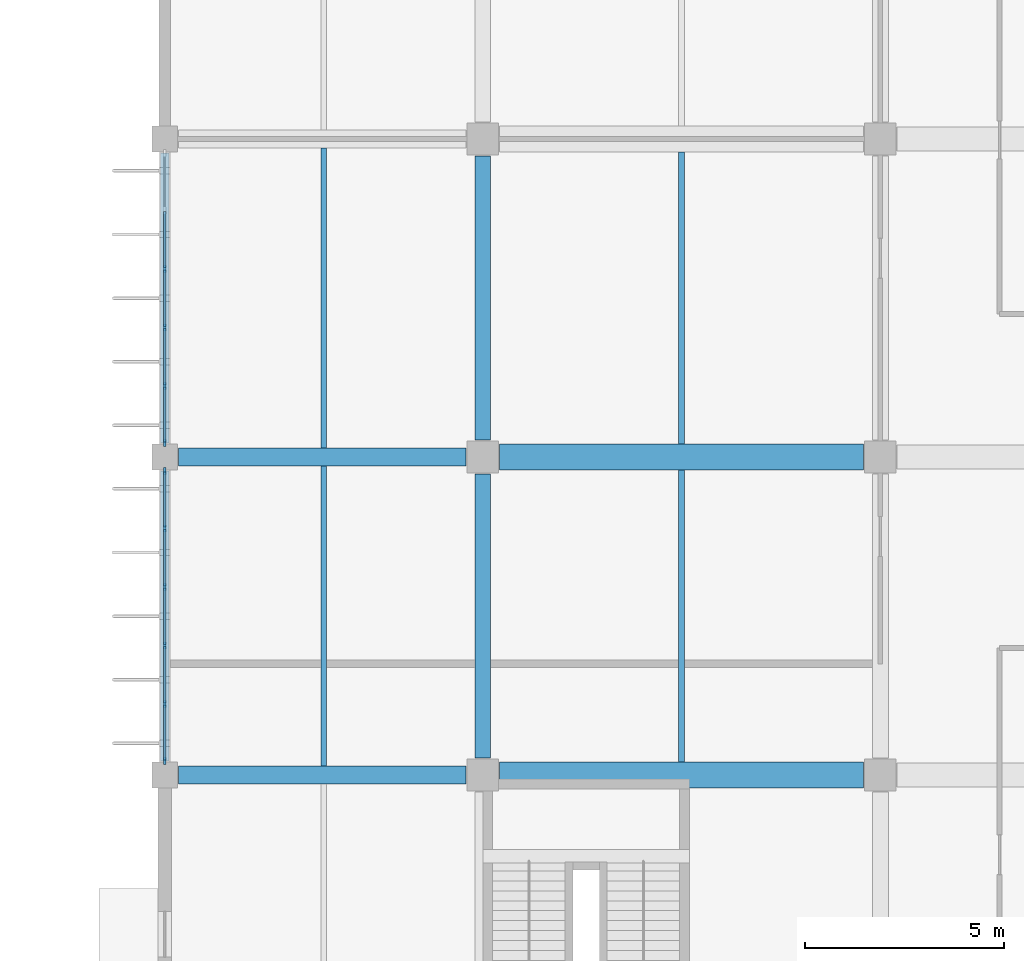
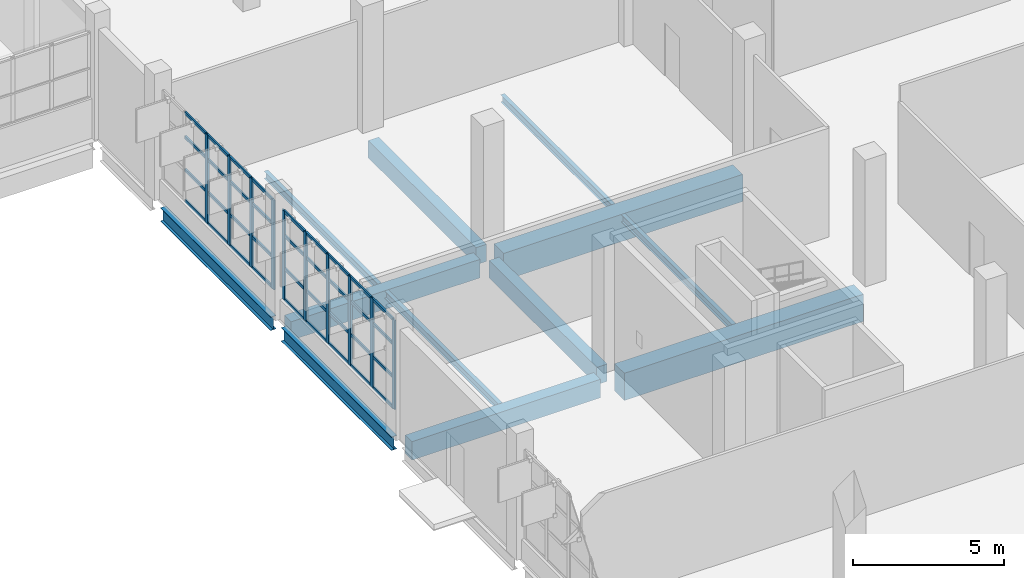
# One storey, part 47 of 103: 46 members, 12 beams, 2 elements without a shape of their own.
"""IFC4 building model written with IfcOpenShell, lengths in metres."""

from ifc_helpers import new_model, si_unit, direction, frame, origin, origin_2d, place, context, subcontext, project, spatial, rectangle, i_section, extrude, material, layer, layer_set, material_profile, profile_set, type_object, element, aggregate, save


model = new_model("IFC4")

# Units and contexts
model_context = context("Model", 3, precision=1e-05, world=origin(), true_north=direction((0.0, 1.0)))
body_context = subcontext(model_context, "Body", "Model", "MODEL_VIEW")
ifc_project = project(units=[si_unit("LENGTHUNIT", "METRE"), si_unit("AREAUNIT", "SQUARE_METRE"), si_unit("VOLUMEUNIT", "CUBIC_METRE"), si_unit("PLANEANGLEUNIT", "RADIAN"), si_unit("MASSUNIT", "GRAM", prefix="KILO")], contexts=[model_context])

# Site, building, storey
site_placement = place(None, origin())
site = spatial("IfcSite", under=ifc_project, at=site_placement, CompositionType="ELEMENT")
building_placement = place(site_placement, origin())
building = spatial("IfcBuilding", under=site, at=building_placement, Name="Drelvana Railside Aquatics Centre", CompositionType="ELEMENT")
storey_placement = place(building_placement, origin())
storey = spatial("IfcBuildingStorey", under=building, at=storey_placement, Name="L00", CompositionType="ELEMENT", Elevation=0.0)

# Curtain wall, members
ifc_material_1 = material(Name="Bronze-anodised aluminium curtain wall", Category="aluminium")
ifc_layer = layer(ifc_material_1, 0.175048828125, Name="Bronze-anodised aluminium curtain wall")
ifc_layer_set = layer_set([ifc_layer], Name="Bronze-anodised aluminium curtain wall")
curtain_wall_type = type_object("IfcCurtainWallType", Name="CW-Z6-WING", PredefinedType="NOTDEFINED", material=ifc_layer_set)
curtain_wall_1_placement = place(storey_placement, origin())
curtain_wall_1 = element("IfcCurtainWall", 1, at=curtain_wall_1_placement, inside=storey, type_object=curtain_wall_type, Name="Curtain wall CW-06-155", PredefinedType="NOTDEFINED")
ifc_material_2 = material(Name="Bronze-anodised aluminium 6063-T6", Category="aluminium")
ifc_material_profile_1 = material_profile(ifc_material_2, rectangle(XDim=0.06494140625, YDim=0.175048828125, at=origin_2d()), Name="ALU-M 65x175")
ifc_profile_set_1 = profile_set([ifc_material_profile_1], Name="Bronze-anodised aluminium 6063-T6")
member_type_1 = type_object("IfcMemberType", Name="CW-Z6-WING-MUL", PredefinedType="MULLION", material=ifc_profile_set_1)
member_1_placement = place(storey_placement, frame((144.0, 64.3515625, 0.7939453125), z_axis=(0.0, 0.0, 1.0), x_axis=(-1.0, 0.0, 0.0)))
member_1 = element("IfcMember", 2, at=member_1_placement, type_object=member_type_1, Name="CW-06 mullion 1", PredefinedType="MULLION", context=body_context, shape_type="SweptSolid", body=[
    extrude(rectangle(XDim=0.06494140625, YDim=0.175048828125, at=origin_2d()), origin(), (0.0, 0.0, 1.0), 3.60595703125),
])
member_2_placement = place(storey_placement, frame((144.0, 65.79150390625, 0.7939453125), z_axis=(0.0, 0.0, 1.0), x_axis=(-1.0, 0.0, 0.0)))
member_2 = element("IfcMember", 3, at=member_2_placement, type_object=member_type_1, Name="CW-06 mullion 2", PredefinedType="MULLION", context=body_context, shape_type="SweptSolid", body=[
    extrude(rectangle(XDim=0.06494140625, YDim=0.175048828125, at=origin_2d()), origin(), (0.0, 0.0, 1.0), 3.60595703125),
])
member_3_placement = place(storey_placement, frame((144.0, 67.263916015625, 0.7939453125), z_axis=(0.0, 0.0, 1.0), x_axis=(-1.0, 0.0, 0.0)))
member_3 = element("IfcMember", 4, at=member_3_placement, type_object=member_type_1, Name="CW-06 mullion 3", PredefinedType="MULLION", context=body_context, shape_type="SweptSolid", body=[
    extrude(rectangle(XDim=0.06494140625, YDim=0.175048828125, at=origin_2d()), origin(), (0.0, 0.0, 1.0), 3.60595703125),
])
member_4_placement = place(storey_placement, frame((144.0, 68.736083984375, 0.7939453125), z_axis=(0.0, 0.0, 1.0), x_axis=(-1.0, 0.0, 0.0)))
member_4 = element("IfcMember", 5, at=member_4_placement, type_object=member_type_1, Name="CW-06 mullion 4", PredefinedType="MULLION", context=body_context, shape_type="SweptSolid", body=[
    extrude(rectangle(XDim=0.06494140625, YDim=0.175048828125, at=origin_2d()), origin(), (0.0, 0.0, 1.0), 3.60595703125),
])
member_5_placement = place(storey_placement, frame((144.0, 70.20849609375, 0.7939453125), z_axis=(0.0, 0.0, 1.0), x_axis=(-1.0, 0.0, 0.0)))
member_5 = element("IfcMember", 6, at=member_5_placement, type_object=member_type_1, Name="CW-06 mullion 5", PredefinedType="MULLION", context=body_context, shape_type="SweptSolid", body=[
    extrude(rectangle(XDim=0.06494140625, YDim=0.175048828125, at=origin_2d()), origin(), (0.0, 0.0, 1.0), 3.60595703125),
])
member_6_placement = place(storey_placement, frame((144.0, 71.6484375, 0.7939453125), z_axis=(0.0, 0.0, 1.0), x_axis=(-1.0, 0.0, 0.0)))
member_6 = element("IfcMember", 7, at=member_6_placement, type_object=member_type_1, Name="CW-06 mullion 6", PredefinedType="MULLION", context=body_context, shape_type="SweptSolid", body=[
    extrude(rectangle(XDim=0.06494140625, YDim=0.175048828125, at=origin_2d()), origin(), (0.0, 0.0, 1.0), 3.60595703125),
])

curtain_wall_2_placement = place(storey_placement, origin())
curtain_wall_2 = element("IfcCurtainWall", 8, at=curtain_wall_2_placement, inside=storey, type_object=curtain_wall_type, Name="Curtain wall CW-06-159", PredefinedType="NOTDEFINED")
member_7_placement = place(storey_placement, frame((144.0, 72.3515625, 0.7939453125), z_axis=(0.0, 0.0, 1.0), x_axis=(-1.0, 0.0, 0.0)))
member_7 = element("IfcMember", 9, at=member_7_placement, type_object=member_type_1, Name="CW-06 mullion 1", PredefinedType="MULLION", context=body_context, shape_type="SweptSolid", body=[
    extrude(rectangle(XDim=0.06494140625, YDim=0.175048828125, at=origin_2d()), origin(), (0.0, 0.0, 1.0), 3.60595703125),
])
member_8_placement = place(storey_placement, frame((144.0, 73.79150390625, 0.7939453125), z_axis=(0.0, 0.0, 1.0), x_axis=(-1.0, 0.0, 0.0)))
member_8 = element("IfcMember", 10, at=member_8_placement, type_object=member_type_1, Name="CW-06 mullion 2", PredefinedType="MULLION", context=body_context, shape_type="SweptSolid", body=[
    extrude(rectangle(XDim=0.06494140625, YDim=0.175048828125, at=origin_2d()), origin(), (0.0, 0.0, 1.0), 3.60595703125),
])
member_9_placement = place(storey_placement, frame((144.0, 75.263916015625, 0.7939453125), z_axis=(0.0, 0.0, 1.0), x_axis=(-1.0, 0.0, 0.0)))
member_9 = element("IfcMember", 11, at=member_9_placement, type_object=member_type_1, Name="CW-06 mullion 3", PredefinedType="MULLION", context=body_context, shape_type="SweptSolid", body=[
    extrude(rectangle(XDim=0.06494140625, YDim=0.175048828125, at=origin_2d()), origin(), (0.0, 0.0, 1.0), 3.60595703125),
])
member_10_placement = place(storey_placement, frame((144.0, 76.736083984375, 0.7939453125), z_axis=(0.0, 0.0, 1.0), x_axis=(-1.0, 0.0, 0.0)))
member_10 = element("IfcMember", 12, at=member_10_placement, type_object=member_type_1, Name="CW-06 mullion 4", PredefinedType="MULLION", context=body_context, shape_type="SweptSolid", body=[
    extrude(rectangle(XDim=0.06494140625, YDim=0.175048828125, at=origin_2d()), origin(), (0.0, 0.0, 1.0), 3.60595703125),
])

# Member
ifc_material_profile_2 = material_profile(ifc_material_2, rectangle(XDim=0.1201171875, YDim=0.06005859375, at=origin_2d()), Name="ALU-T 60x120")
ifc_profile_set_2 = profile_set([ifc_material_profile_2], Name="Bronze-anodised aluminium 6063-T6")
member_type_2 = type_object("IfcMemberType", Name="CW-Z6-WING-TRN", PredefinedType="USERDEFINED", material=ifc_profile_set_2)
member_11_placement = place(storey_placement, frame((144.0, 64.37890625, 0.823974609375), z_axis=(0.0, 1.0, 0.0), x_axis=(0.0, 0.0, 1.0)))
member_11 = element("IfcMember", 13, at=member_11_placement, type_object=member_type_2, Name="CW-06 transom 1.1", ObjectType="TRANSOM", PredefinedType="USERDEFINED", context=body_context, shape_type="SweptSolid", body=[
    extrude(rectangle(XDim=0.1201171875, YDim=0.06005859375, at=origin_2d()), origin(), (0.0, 0.0, 1.0), 1.385009765625),
])

member_12_placement = place(storey_placement, frame((144.0, 64.37890625, 2.055908203125), z_axis=(0.0, 1.0, 0.0), x_axis=(0.0, 0.0, 1.0)))
member_12 = element("IfcMember", 14, at=member_12_placement, type_object=member_type_2, Name="CW-06 transom 1.2", ObjectType="TRANSOM", PredefinedType="USERDEFINED", context=body_context, shape_type="SweptSolid", body=[
    extrude(rectangle(XDim=0.1201171875, YDim=0.06005859375, at=origin_2d()), origin(), (0.0, 0.0, 1.0), 1.385009765625),
])

member_13_placement = place(storey_placement, frame((144.0, 64.37890625, 3.389892578125), z_axis=(0.0, 1.0, 0.0), x_axis=(0.0, 0.0, 1.0)))
member_13 = element("IfcMember", 15, at=member_13_placement, type_object=member_type_2, Name="CW-06 transom 1.3", ObjectType="TRANSOM", PredefinedType="USERDEFINED", context=body_context, shape_type="SweptSolid", body=[
    extrude(rectangle(XDim=0.1201171875, YDim=0.06005859375, at=origin_2d()), origin(), (0.0, 0.0, 1.0), 1.385009765625),
])

member_14_placement = place(storey_placement, frame((144.0, 64.37890625, 4.3701171875), z_axis=(0.0, 1.0, 0.0), x_axis=(0.0, 0.0, 1.0)))
member_14 = element("IfcMember", 16, at=member_14_placement, type_object=member_type_2, Name="CW-06 transom 1.4", ObjectType="TRANSOM", PredefinedType="USERDEFINED", context=body_context, shape_type="SweptSolid", body=[
    extrude(rectangle(XDim=0.1201171875, YDim=0.06005859375, at=origin_2d()), origin(), (0.0, 0.0, 1.0), 1.385009765625),
])

member_15_placement = place(storey_placement, frame((144.0, 65.81884765625, 0.823974609375), z_axis=(0.0, 1.0, 0.0), x_axis=(0.0, 0.0, 1.0)))
member_15 = element("IfcMember", 17, at=member_15_placement, type_object=member_type_2, Name="CW-06 transom 2.1", ObjectType="TRANSOM", PredefinedType="USERDEFINED", context=body_context, shape_type="SweptSolid", body=[
    extrude(rectangle(XDim=0.1201171875, YDim=0.06005859375, at=origin_2d()), origin(), (0.0, 0.0, 1.0), 1.41748046875),
])

member_16_placement = place(storey_placement, frame((144.0, 65.81884765625, 2.055908203125), z_axis=(0.0, 1.0, 0.0), x_axis=(0.0, 0.0, 1.0)))
member_16 = element("IfcMember", 18, at=member_16_placement, type_object=member_type_2, Name="CW-06 transom 2.2", ObjectType="TRANSOM", PredefinedType="USERDEFINED", context=body_context, shape_type="SweptSolid", body=[
    extrude(rectangle(XDim=0.1201171875, YDim=0.06005859375, at=origin_2d()), origin(), (0.0, 0.0, 1.0), 1.41748046875),
])

member_17_placement = place(storey_placement, frame((144.0, 65.81884765625, 3.389892578125), z_axis=(0.0, 1.0, 0.0), x_axis=(0.0, 0.0, 1.0)))
member_17 = element("IfcMember", 19, at=member_17_placement, type_object=member_type_2, Name="CW-06 transom 2.3", ObjectType="TRANSOM", PredefinedType="USERDEFINED", context=body_context, shape_type="SweptSolid", body=[
    extrude(rectangle(XDim=0.1201171875, YDim=0.06005859375, at=origin_2d()), origin(), (0.0, 0.0, 1.0), 1.41748046875),
])

member_18_placement = place(storey_placement, frame((144.0, 65.81884765625, 4.3701171875), z_axis=(0.0, 1.0, 0.0), x_axis=(0.0, 0.0, 1.0)))
member_18 = element("IfcMember", 20, at=member_18_placement, type_object=member_type_2, Name="CW-06 transom 2.4", ObjectType="TRANSOM", PredefinedType="USERDEFINED", context=body_context, shape_type="SweptSolid", body=[
    extrude(rectangle(XDim=0.1201171875, YDim=0.06005859375, at=origin_2d()), origin(), (0.0, 0.0, 1.0), 1.41748046875),
])

member_19_placement = place(storey_placement, frame((144.0, 67.291259765625, 0.823974609375), z_axis=(0.0, 1.0, 0.0), x_axis=(0.0, 0.0, 1.0)))
member_19 = element("IfcMember", 21, at=member_19_placement, type_object=member_type_2, Name="CW-06 transom 3.1", ObjectType="TRANSOM", PredefinedType="USERDEFINED", context=body_context, shape_type="SweptSolid", body=[
    extrude(rectangle(XDim=0.1201171875, YDim=0.06005859375, at=origin_2d()), origin(), (0.0, 0.0, 1.0), 1.41748046875),
])

member_20_placement = place(storey_placement, frame((144.0, 67.291259765625, 2.055908203125), z_axis=(0.0, 1.0, 0.0), x_axis=(0.0, 0.0, 1.0)))
member_20 = element("IfcMember", 22, at=member_20_placement, type_object=member_type_2, Name="CW-06 transom 3.2", ObjectType="TRANSOM", PredefinedType="USERDEFINED", context=body_context, shape_type="SweptSolid", body=[
    extrude(rectangle(XDim=0.1201171875, YDim=0.06005859375, at=origin_2d()), origin(), (0.0, 0.0, 1.0), 1.41748046875),
])

member_21_placement = place(storey_placement, frame((144.0, 67.291259765625, 3.389892578125), z_axis=(0.0, 1.0, 0.0), x_axis=(0.0, 0.0, 1.0)))
member_21 = element("IfcMember", 23, at=member_21_placement, type_object=member_type_2, Name="CW-06 transom 3.3", ObjectType="TRANSOM", PredefinedType="USERDEFINED", context=body_context, shape_type="SweptSolid", body=[
    extrude(rectangle(XDim=0.1201171875, YDim=0.06005859375, at=origin_2d()), origin(), (0.0, 0.0, 1.0), 1.41748046875),
])

member_22_placement = place(storey_placement, frame((144.0, 67.291259765625, 4.3701171875), z_axis=(0.0, 1.0, 0.0), x_axis=(0.0, 0.0, 1.0)))
member_22 = element("IfcMember", 24, at=member_22_placement, type_object=member_type_2, Name="CW-06 transom 3.4", ObjectType="TRANSOM", PredefinedType="USERDEFINED", context=body_context, shape_type="SweptSolid", body=[
    extrude(rectangle(XDim=0.1201171875, YDim=0.06005859375, at=origin_2d()), origin(), (0.0, 0.0, 1.0), 1.41748046875),
])

member_23_placement = place(storey_placement, frame((144.0, 68.763671875, 0.823974609375), z_axis=(0.0, 1.0, 0.0), x_axis=(0.0, 0.0, 1.0)))
member_23 = element("IfcMember", 25, at=member_23_placement, type_object=member_type_2, Name="CW-06 transom 4.1", ObjectType="TRANSOM", PredefinedType="USERDEFINED", context=body_context, shape_type="SweptSolid", body=[
    extrude(rectangle(XDim=0.1201171875, YDim=0.06005859375, at=origin_2d()), origin(), (0.0, 0.0, 1.0), 1.41748046875),
])

member_24_placement = place(storey_placement, frame((144.0, 68.763671875, 2.055908203125), z_axis=(0.0, 1.0, 0.0), x_axis=(0.0, 0.0, 1.0)))
member_24 = element("IfcMember", 26, at=member_24_placement, type_object=member_type_2, Name="CW-06 transom 4.2", ObjectType="TRANSOM", PredefinedType="USERDEFINED", context=body_context, shape_type="SweptSolid", body=[
    extrude(rectangle(XDim=0.1201171875, YDim=0.06005859375, at=origin_2d()), origin(), (0.0, 0.0, 1.0), 1.41748046875),
])

member_25_placement = place(storey_placement, frame((144.0, 68.763671875, 3.389892578125), z_axis=(0.0, 1.0, 0.0), x_axis=(0.0, 0.0, 1.0)))
member_25 = element("IfcMember", 27, at=member_25_placement, type_object=member_type_2, Name="CW-06 transom 4.3", ObjectType="TRANSOM", PredefinedType="USERDEFINED", context=body_context, shape_type="SweptSolid", body=[
    extrude(rectangle(XDim=0.1201171875, YDim=0.06005859375, at=origin_2d()), origin(), (0.0, 0.0, 1.0), 1.41748046875),
])

member_26_placement = place(storey_placement, frame((144.0, 68.763671875, 4.3701171875), z_axis=(0.0, 1.0, 0.0), x_axis=(0.0, 0.0, 1.0)))
member_26 = element("IfcMember", 28, at=member_26_placement, type_object=member_type_2, Name="CW-06 transom 4.4", ObjectType="TRANSOM", PredefinedType="USERDEFINED", context=body_context, shape_type="SweptSolid", body=[
    extrude(rectangle(XDim=0.1201171875, YDim=0.06005859375, at=origin_2d()), origin(), (0.0, 0.0, 1.0), 1.41748046875),
])

member_27_placement = place(storey_placement, frame((144.0, 70.236083984375, 0.823974609375), z_axis=(0.0, 1.0, 0.0), x_axis=(0.0, 0.0, 1.0)))
member_27 = element("IfcMember", 29, at=member_27_placement, type_object=member_type_2, Name="CW-06 transom 5.1", ObjectType="TRANSOM", PredefinedType="USERDEFINED", context=body_context, shape_type="SweptSolid", body=[
    extrude(rectangle(XDim=0.1201171875, YDim=0.06005859375, at=origin_2d()), origin(), (0.0, 0.0, 1.0), 1.385009765625),
])

member_28_placement = place(storey_placement, frame((144.0, 70.236083984375, 2.055908203125), z_axis=(0.0, 1.0, 0.0), x_axis=(0.0, 0.0, 1.0)))
member_28 = element("IfcMember", 30, at=member_28_placement, type_object=member_type_2, Name="CW-06 transom 5.2", ObjectType="TRANSOM", PredefinedType="USERDEFINED", context=body_context, shape_type="SweptSolid", body=[
    extrude(rectangle(XDim=0.1201171875, YDim=0.06005859375, at=origin_2d()), origin(), (0.0, 0.0, 1.0), 1.385009765625),
])

member_29_placement = place(storey_placement, frame((144.0, 70.236083984375, 3.389892578125), z_axis=(0.0, 1.0, 0.0), x_axis=(0.0, 0.0, 1.0)))
member_29 = element("IfcMember", 31, at=member_29_placement, type_object=member_type_2, Name="CW-06 transom 5.3", ObjectType="TRANSOM", PredefinedType="USERDEFINED", context=body_context, shape_type="SweptSolid", body=[
    extrude(rectangle(XDim=0.1201171875, YDim=0.06005859375, at=origin_2d()), origin(), (0.0, 0.0, 1.0), 1.385009765625),
])

member_30_placement = place(storey_placement, frame((144.0, 70.236083984375, 4.3701171875), z_axis=(0.0, 1.0, 0.0), x_axis=(0.0, 0.0, 1.0)))
member_30 = element("IfcMember", 32, at=member_30_placement, type_object=member_type_2, Name="CW-06 transom 5.4", ObjectType="TRANSOM", PredefinedType="USERDEFINED", context=body_context, shape_type="SweptSolid", body=[
    extrude(rectangle(XDim=0.1201171875, YDim=0.06005859375, at=origin_2d()), origin(), (0.0, 0.0, 1.0), 1.385009765625),
])

aggregate(curtain_wall_1, [member_1, member_2, member_3, member_4, member_5, member_6, member_11, member_12, member_13, member_14, member_15, member_16, member_17, member_18, member_19, member_20, member_21, member_22, member_23, member_24, member_25, member_26, member_27, member_28, member_29, member_30])

member_31_placement = place(storey_placement, frame((144.0, 72.37890625, 0.823974609375), z_axis=(0.0, 1.0, 0.0), x_axis=(0.0, 0.0, 1.0)))
member_31 = element("IfcMember", 33, at=member_31_placement, type_object=member_type_2, Name="CW-06 transom 1.1", ObjectType="TRANSOM", PredefinedType="USERDEFINED", context=body_context, shape_type="SweptSolid", body=[
    extrude(rectangle(XDim=0.1201171875, YDim=0.06005859375, at=origin_2d()), origin(), (0.0, 0.0, 1.0), 1.385009765625),
])

member_32_placement = place(storey_placement, frame((144.0, 72.37890625, 2.055908203125), z_axis=(0.0, 1.0, 0.0), x_axis=(0.0, 0.0, 1.0)))
member_32 = element("IfcMember", 34, at=member_32_placement, type_object=member_type_2, Name="CW-06 transom 1.2", ObjectType="TRANSOM", PredefinedType="USERDEFINED", context=body_context, shape_type="SweptSolid", body=[
    extrude(rectangle(XDim=0.1201171875, YDim=0.06005859375, at=origin_2d()), origin(), (0.0, 0.0, 1.0), 1.385009765625),
])

member_33_placement = place(storey_placement, frame((144.0, 72.37890625, 3.389892578125), z_axis=(0.0, 1.0, 0.0), x_axis=(0.0, 0.0, 1.0)))
member_33 = element("IfcMember", 35, at=member_33_placement, type_object=member_type_2, Name="CW-06 transom 1.3", ObjectType="TRANSOM", PredefinedType="USERDEFINED", context=body_context, shape_type="SweptSolid", body=[
    extrude(rectangle(XDim=0.1201171875, YDim=0.06005859375, at=origin_2d()), origin(), (0.0, 0.0, 1.0), 1.385009765625),
])

member_34_placement = place(storey_placement, frame((144.0, 72.37890625, 4.3701171875), z_axis=(0.0, 1.0, 0.0), x_axis=(0.0, 0.0, 1.0)))
member_34 = element("IfcMember", 36, at=member_34_placement, type_object=member_type_2, Name="CW-06 transom 1.4", ObjectType="TRANSOM", PredefinedType="USERDEFINED", context=body_context, shape_type="SweptSolid", body=[
    extrude(rectangle(XDim=0.1201171875, YDim=0.06005859375, at=origin_2d()), origin(), (0.0, 0.0, 1.0), 1.385009765625),
])

member_35_placement = place(storey_placement, frame((144.0, 73.81884765625, 0.823974609375), z_axis=(0.0, 1.0, 0.0), x_axis=(0.0, 0.0, 1.0)))
member_35 = element("IfcMember", 37, at=member_35_placement, type_object=member_type_2, Name="CW-06 transom 2.1", ObjectType="TRANSOM", PredefinedType="USERDEFINED", context=body_context, shape_type="SweptSolid", body=[
    extrude(rectangle(XDim=0.1201171875, YDim=0.06005859375, at=origin_2d()), origin(), (0.0, 0.0, 1.0), 1.41748046875),
])

member_36_placement = place(storey_placement, frame((144.0, 73.81884765625, 2.055908203125), z_axis=(0.0, 1.0, 0.0), x_axis=(0.0, 0.0, 1.0)))
member_36 = element("IfcMember", 38, at=member_36_placement, type_object=member_type_2, Name="CW-06 transom 2.2", ObjectType="TRANSOM", PredefinedType="USERDEFINED", context=body_context, shape_type="SweptSolid", body=[
    extrude(rectangle(XDim=0.1201171875, YDim=0.06005859375, at=origin_2d()), origin(), (0.0, 0.0, 1.0), 1.41748046875),
])

member_37_placement = place(storey_placement, frame((144.0, 73.81884765625, 3.389892578125), z_axis=(0.0, 1.0, 0.0), x_axis=(0.0, 0.0, 1.0)))
member_37 = element("IfcMember", 39, at=member_37_placement, type_object=member_type_2, Name="CW-06 transom 2.3", ObjectType="TRANSOM", PredefinedType="USERDEFINED", context=body_context, shape_type="SweptSolid", body=[
    extrude(rectangle(XDim=0.1201171875, YDim=0.06005859375, at=origin_2d()), origin(), (0.0, 0.0, 1.0), 1.41748046875),
])

member_38_placement = place(storey_placement, frame((144.0, 73.81884765625, 4.3701171875), z_axis=(0.0, 1.0, 0.0), x_axis=(0.0, 0.0, 1.0)))
member_38 = element("IfcMember", 40, at=member_38_placement, type_object=member_type_2, Name="CW-06 transom 2.4", ObjectType="TRANSOM", PredefinedType="USERDEFINED", context=body_context, shape_type="SweptSolid", body=[
    extrude(rectangle(XDim=0.1201171875, YDim=0.06005859375, at=origin_2d()), origin(), (0.0, 0.0, 1.0), 1.41748046875),
])

member_39_placement = place(storey_placement, frame((144.0, 75.291259765625, 0.823974609375), z_axis=(0.0, 1.0, 0.0), x_axis=(0.0, 0.0, 1.0)))
member_39 = element("IfcMember", 41, at=member_39_placement, type_object=member_type_2, Name="CW-06 transom 3.1", ObjectType="TRANSOM", PredefinedType="USERDEFINED", context=body_context, shape_type="SweptSolid", body=[
    extrude(rectangle(XDim=0.1201171875, YDim=0.06005859375, at=origin_2d()), origin(), (0.0, 0.0, 1.0), 1.41748046875),
])

member_40_placement = place(storey_placement, frame((144.0, 75.291259765625, 2.055908203125), z_axis=(0.0, 1.0, 0.0), x_axis=(0.0, 0.0, 1.0)))
member_40 = element("IfcMember", 42, at=member_40_placement, type_object=member_type_2, Name="CW-06 transom 3.2", ObjectType="TRANSOM", PredefinedType="USERDEFINED", context=body_context, shape_type="SweptSolid", body=[
    extrude(rectangle(XDim=0.1201171875, YDim=0.06005859375, at=origin_2d()), origin(), (0.0, 0.0, 1.0), 1.41748046875),
])

member_41_placement = place(storey_placement, frame((144.0, 75.291259765625, 3.389892578125), z_axis=(0.0, 1.0, 0.0), x_axis=(0.0, 0.0, 1.0)))
member_41 = element("IfcMember", 43, at=member_41_placement, type_object=member_type_2, Name="CW-06 transom 3.3", ObjectType="TRANSOM", PredefinedType="USERDEFINED", context=body_context, shape_type="SweptSolid", body=[
    extrude(rectangle(XDim=0.1201171875, YDim=0.06005859375, at=origin_2d()), origin(), (0.0, 0.0, 1.0), 1.41748046875),
])

member_42_placement = place(storey_placement, frame((144.0, 75.291259765625, 4.3701171875), z_axis=(0.0, 1.0, 0.0), x_axis=(0.0, 0.0, 1.0)))
member_42 = element("IfcMember", 44, at=member_42_placement, type_object=member_type_2, Name="CW-06 transom 3.4", ObjectType="TRANSOM", PredefinedType="USERDEFINED", context=body_context, shape_type="SweptSolid", body=[
    extrude(rectangle(XDim=0.1201171875, YDim=0.06005859375, at=origin_2d()), origin(), (0.0, 0.0, 1.0), 1.41748046875),
])

member_43_placement = place(storey_placement, frame((144.0, 76.763671875, 0.823974609375), z_axis=(0.0, 1.0, 0.0), x_axis=(0.0, 0.0, 1.0)))
member_43 = element("IfcMember", 45, at=member_43_placement, type_object=member_type_2, Name="CW-06 transom 4.1", ObjectType="TRANSOM", PredefinedType="USERDEFINED", context=body_context, shape_type="SweptSolid", body=[
    extrude(rectangle(XDim=0.1201171875, YDim=0.06005859375, at=origin_2d()), origin(), (0.0, 0.0, 1.0), 1.41748046875),
])

member_44_placement = place(storey_placement, frame((144.0, 76.763671875, 2.055908203125), z_axis=(0.0, 1.0, 0.0), x_axis=(0.0, 0.0, 1.0)))
member_44 = element("IfcMember", 46, at=member_44_placement, type_object=member_type_2, Name="CW-06 transom 4.2", ObjectType="TRANSOM", PredefinedType="USERDEFINED", context=body_context, shape_type="SweptSolid", body=[
    extrude(rectangle(XDim=0.1201171875, YDim=0.06005859375, at=origin_2d()), origin(), (0.0, 0.0, 1.0), 1.41748046875),
])

member_45_placement = place(storey_placement, frame((144.0, 76.763671875, 3.389892578125), z_axis=(0.0, 1.0, 0.0), x_axis=(0.0, 0.0, 1.0)))
member_45 = element("IfcMember", 47, at=member_45_placement, type_object=member_type_2, Name="CW-06 transom 4.3", ObjectType="TRANSOM", PredefinedType="USERDEFINED", context=body_context, shape_type="SweptSolid", body=[
    extrude(rectangle(XDim=0.1201171875, YDim=0.06005859375, at=origin_2d()), origin(), (0.0, 0.0, 1.0), 1.41748046875),
])

member_46_placement = place(storey_placement, frame((144.0, 76.763671875, 4.3701171875), z_axis=(0.0, 1.0, 0.0), x_axis=(0.0, 0.0, 1.0)))
member_46 = element("IfcMember", 48, at=member_46_placement, type_object=member_type_2, Name="CW-06 transom 4.4", ObjectType="TRANSOM", PredefinedType="USERDEFINED", context=body_context, shape_type="SweptSolid", body=[
    extrude(rectangle(XDim=0.1201171875, YDim=0.06005859375, at=origin_2d()), origin(), (0.0, 0.0, 1.0), 1.41748046875),
])

aggregate(curtain_wall_2, [member_7, member_8, member_9, member_10, member_31, member_32, member_33, member_34, member_35, member_36, member_37, member_38, member_39, member_40, member_41, member_42, member_43, member_44, member_45, member_46])

# Beams
ifc_material_3 = material(Name="Concrete C40/50", Category="concrete")
ifc_material_profile_3 = material_profile(ifc_material_3, rectangle(XDim=0.39990234375, YDim=0.699951171875, at=origin_2d()), Name="RC 400x700")
ifc_profile_set_3 = profile_set([ifc_material_profile_3], Name="Concrete C40/50")
beam_type_1 = type_object("IfcBeamType", Name="STR-BM-BM-03-RC-400x700", PredefinedType="BEAM", material=ifc_profile_set_3)
for number, where, z_axis, x_axis, name in (
    (49, (152.0, 64.425048828125, -0.679931640625), (0.0, 1.0, 0.0), (-1.0, 0.0, 0.0), "Girder BM-03 (L00)"),
    (50, (152.0, 72.425048828125, -0.679931640625), (0.0, 1.0, 0.0), (-1.0, 0.0, 0.0), "Girder BM-03 (L00)"),
):
    element("IfcBeam", number, at=place(storey_placement, frame(where, z_axis=z_axis, x_axis=x_axis)), inside=storey, type_object=beam_type_1, Name=name, PredefinedType="BEAM", context=body_context, shape_type="SweptSolid", body=[
        extrude(rectangle(XDim=0.39990234375, YDim=0.699951171875, at=origin_2d()), origin(), (0.0, 0.0, 1.0), 7.14990234375),
    ])
ifc_material_profile_4 = material_profile(ifc_material_3, rectangle(XDim=0.449951171875, YDim=0.75, at=origin_2d()), Name="RC 450x750")
ifc_profile_set_4 = profile_set([ifc_material_profile_4], Name="Concrete C40/50")
beam_type_2 = type_object("IfcBeamType", Name="STR-BM-BM-04-RC-450x750", PredefinedType="BEAM", material=ifc_profile_set_4)
for number, where, z_axis, x_axis, name in (
    (51, (144.35009765625, 64.0, -0.705078125), (1.0, 0.0, 0.0), (0.0, 1.0, 0.0), "Girder BM-04 (L00)"),
    (52, (144.35009765625, 72.0, -0.705078125), (1.0, 0.0, 0.0), (0.0, 1.0, 0.0), "Girder BM-04 (L00)"),
):
    element("IfcBeam", number, at=place(storey_placement, frame(where, z_axis=z_axis, x_axis=x_axis)), inside=storey, type_object=beam_type_2, Name=name, PredefinedType="BEAM", context=body_context, shape_type="SweptSolid", body=[
        extrude(rectangle(XDim=0.449951171875, YDim=0.75, at=origin_2d()), origin(), (0.0, 0.0, 1.0), 7.224853515625),
    ])
ifc_material_profile_5 = material_profile(ifc_material_3, rectangle(XDim=0.64990234375, YDim=1.10009765625, at=origin_2d()), Name="RC 650x1100")
ifc_profile_set_5 = profile_set([ifc_material_profile_5], Name="Concrete C40/50")
beam_type_3 = type_object("IfcBeamType", Name="STR-BM-BM-10-RC-650x1100", PredefinedType="BEAM", material=ifc_profile_set_5)
for number, where, z_axis, x_axis, name in (
    (53, (152.425048828125, 64.0, -0.8798828125), (1.0, 0.0, 0.0), (0.0, 1.0, 0.0), "Girder BM-10 (L00)"),
    (54, (152.425048828125, 72.0, -0.8798828125), (1.0, 0.0, 0.0), (0.0, 1.0, 0.0), "Girder BM-10 (L00)"),
):
    element("IfcBeam", number, at=place(storey_placement, frame(where, z_axis=z_axis, x_axis=x_axis)), inside=storey, type_object=beam_type_3, Name=name, PredefinedType="BEAM", context=body_context, shape_type="SweptSolid", body=[
        extrude(rectangle(XDim=0.64990234375, YDim=1.10009765625, at=origin_2d()), origin(), (0.0, 0.0, 1.0), 9.14990234375),
    ])
ifc_material_4 = material(Name="Structural steel S355", Category="steel")
ifc_material_profile_6 = material_profile(ifc_material_4, i_section(OverallWidth=0.2099609375, OverallDepth=0.550048828125, WebThickness=0.010986328125, FlangeThickness=0.01708984375, at=origin_2d()), Name="IPE 550")
ifc_profile_set_6 = profile_set([ifc_material_profile_6], Name="Structural steel S355")
beam_type_4 = type_object("IfcBeamType", Name="STR-SBM-SB-04-IPE-550", PredefinedType="SPANDREL", material=ifc_profile_set_6)
for number, where, z_axis, x_axis, name in (
    (55, (144.0, 64.35009765625, -0.60498046875), (0.0, 1.0, 0.0), (-1.0, 0.0, 0.0), "Girder SB-04 (L00)"),
    (56, (144.0, 72.35009765625, -0.60498046875), (0.0, 1.0, 0.0), (-1.0, 0.0, 0.0), "Girder SB-04 (L00)"),
):
    element("IfcBeam", number, at=place(storey_placement, frame(where, z_axis=z_axis, x_axis=x_axis)), inside=storey, type_object=beam_type_4, Name=name, PredefinedType="SPANDREL", context=body_context, shape_type="SweptSolid", body=[
        extrude(i_section(OverallWidth=0.2099609375, OverallDepth=0.550048828125, WebThickness=0.010986328125, FlangeThickness=0.01708984375, at=origin_2d()), origin(), (0.0, 0.0, 1.0), 7.2998046875),
    ])
ifc_material_profile_7 = material_profile(ifc_material_4, i_section(OverallWidth=0.14990234375, OverallDepth=0.300048828125, WebThickness=0.007080078125, FlangeThickness=0.0107421875, at=origin_2d()), Name="IPE 300")
ifc_profile_set_7 = profile_set([ifc_material_profile_7], Name="Structural steel S355")
beam_type_5 = type_object("IfcBeamType", Name="STR-SBM-SJ-03-IPE-300", PredefinedType="JOIST", material=ifc_profile_set_7)
for number, where, z_axis, x_axis, name in (
    (57, (148.0, 64.22509765625, -0.47998046875), (0.0, 1.0, 0.0), (-1.0, 0.0, 0.0), "Secondary floor joist SJ-03 (L00)"),
    (58, (148.0, 72.22509765625, -0.47998046875), (0.0, 1.0, 0.0), (-1.0, 0.0, 0.0), "Secondary floor joist SJ-03 (L00)"),
):
    element("IfcBeam", number, at=place(storey_placement, frame(where, z_axis=z_axis, x_axis=x_axis)), inside=storey, type_object=beam_type_5, Name=name, PredefinedType="JOIST", context=body_context, shape_type="SweptSolid", body=[
        extrude(i_section(OverallWidth=0.14990234375, OverallDepth=0.300048828125, WebThickness=0.007080078125, FlangeThickness=0.0107421875, at=origin_2d()), origin(), (0.0, 0.0, 1.0), 7.5498046875),
    ])
for number, where, z_axis, x_axis, name in (
    (59, (157.0, 64.324951171875, -0.47998046875), (0.0, 1.0, 0.0), (-1.0, 0.0, 0.0), "Secondary floor joist SJ-03 (L00)"),
    (60, (157.0, 72.324951171875, -0.47998046875), (0.0, 1.0, 0.0), (-1.0, 0.0, 0.0), "Secondary floor joist SJ-03 (L00)"),
):
    element("IfcBeam", number, at=place(storey_placement, frame(where, z_axis=z_axis, x_axis=x_axis)), inside=storey, type_object=beam_type_5, Name=name, PredefinedType="JOIST", context=body_context, shape_type="SweptSolid", body=[
        extrude(i_section(OverallWidth=0.14990234375, OverallDepth=0.300048828125, WebThickness=0.007080078125, FlangeThickness=0.0107421875, at=origin_2d()), origin(), (0.0, 0.0, 1.0), 7.35009765625),
    ])

save(model, "model.ifc")
